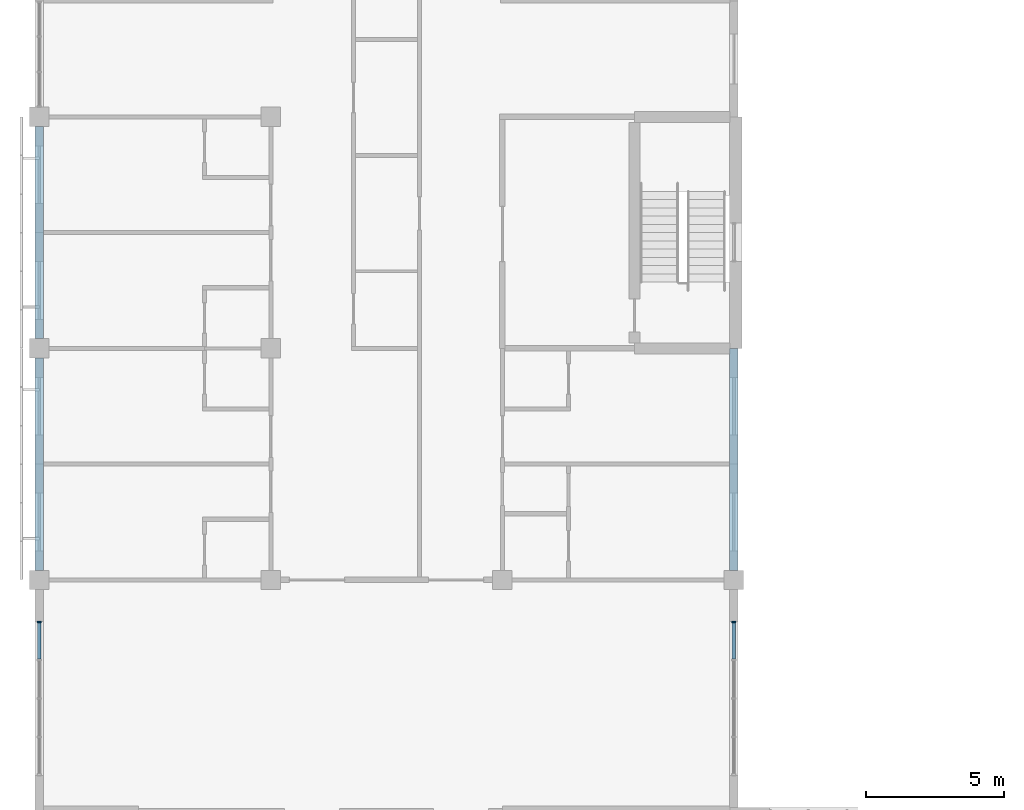
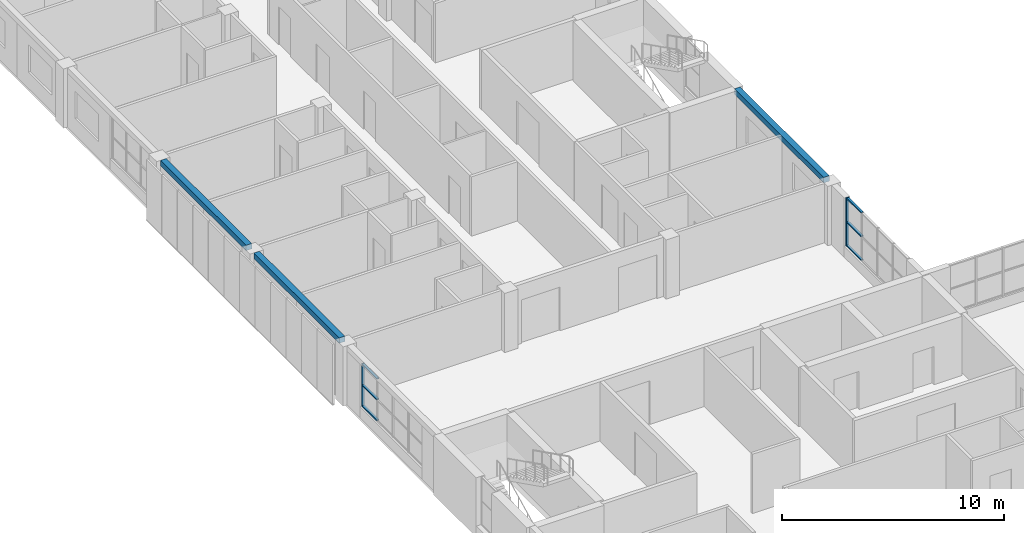
# One storey, part 6 of 46: 8 members, 3 beams, 2 elements without a shape of their own.
"""IFC4 building model written with IfcOpenShell, lengths in metres."""

from ifc_helpers import new_model, si_unit, direction, frame, origin, origin_2d, place, context, subcontext, project, spatial, rectangle, extrude, material, material_profile, profile_set, type_object, element, aggregate, save


model = new_model("IFC4")

# Units and contexts
model_context = context("Model", 3, precision=1e-05, world=origin(), true_north=direction((0.0, 1.0)))
body_context = subcontext(model_context, "Body", "Model", "MODEL_VIEW")
ifc_project = project(units=[si_unit("LENGTHUNIT", "METRE"), si_unit("AREAUNIT", "SQUARE_METRE"), si_unit("VOLUMEUNIT", "CUBIC_METRE"), si_unit("PLANEANGLEUNIT", "RADIAN"), si_unit("MASSUNIT", "GRAM", prefix="KILO")], contexts=[model_context])

# Site, building, storey
site_placement = place(None, origin())
site = spatial("IfcSite", under=ifc_project, at=site_placement, CompositionType="ELEMENT")
building_placement = place(site_placement, origin())
building = spatial("IfcBuilding", under=site, at=building_placement, Name="Yavir Park General Hospital", CompositionType="ELEMENT")
storey_placement = place(building_placement, frame((0.0, 0.0, 18.89990234375)))
storey = spatial("IfcBuildingStorey", under=building, at=storey_placement, Name="L04", CompositionType="ELEMENT", Elevation=18.89990234375)

# Curtain wall, members
ifc_material_1 = material(Name="Aluminium curtain wall frame with insulated glazing", Category="aluminium")
curtain_wall_type_1 = type_object("IfcCurtainWallType", Name="Day room pocket glazing, ward floors, 2360 high, 1400 module", PredefinedType="NOTDEFINED", material=ifc_material_1)
curtain_wall_1_placement = place(storey_placement, origin())
curtain_wall_1 = element("IfcCurtainWall", 1, at=curtain_wall_1_placement, inside=storey, type_object=curtain_wall_type_1, Name="CW6 L04-017", PredefinedType="NOTDEFINED")
ifc_material_2 = material(Name="Aluminium", Category="aluminium")
ifc_material_profile_1 = material_profile(ifc_material_2, rectangle(XDim=0.139892578125, YDim=0.06005859375, at=origin_2d()), Name="AL 60x140")
ifc_profile_set_1 = profile_set([ifc_material_profile_1], Name="Aluminium")
member_type_1 = type_object("IfcMemberType", Name="Day room pocket glazing, ward floors, 2360 high mullion 60 x 140", PredefinedType="MULLION", material=ifc_profile_set_1)
member_1_placement = place(storey_placement, frame((0.0, 32.070068359375, 0.60009765625), z_axis=(0.0, 0.0, 1.0), x_axis=(-1.0, 0.0, 0.0)))
member_1 = element("IfcMember", 2, at=member_1_placement, type_object=member_type_1, Name="CW6 mullion 5", PredefinedType="MULLION", context=body_context, shape_type="SweptSolid", body=[
    extrude(rectangle(XDim=0.139892578125, YDim=0.06005859375, at=origin_2d()), origin(), (0.0, 0.0, 1.0), 2.360107421875),
])
ifc_material_3 = material(Name="Aluminium", Category="aluminium")
ifc_material_profile_2 = material_profile(ifc_material_3, rectangle(XDim=0.1201171875, YDim=0.06005859375, at=origin_2d()), Name="AL 120x60")
ifc_profile_set_2 = profile_set([ifc_material_profile_2], Name="Aluminium")
member_type_2 = type_object("IfcMemberType", Name="Day room pocket glazing, ward floors, 2360 high transom 60 x 120", PredefinedType="MULLION", material=ifc_profile_set_2)
member_2_placement = place(storey_placement, frame((0.0, 30.72998046875, 0.630126953125), z_axis=(0.0, 1.0, 0.0), x_axis=(-1.0, 0.0, 0.0)))
member_2 = element("IfcMember", 3, at=member_2_placement, type_object=member_type_2, Name="CW6 transom 4.1", PredefinedType="MULLION", context=body_context, shape_type="SweptSolid", body=[
    extrude(rectangle(XDim=0.1201171875, YDim=0.06005859375, at=origin_2d()), origin(), (0.0, 0.0, 1.0), 1.31005859375),
])
member_3_placement = place(storey_placement, frame((0.0, 30.72998046875, 1.780029296875), z_axis=(0.0, 1.0, 0.0), x_axis=(-1.0, 0.0, 0.0)))
member_3 = element("IfcMember", 4, at=member_3_placement, type_object=member_type_2, Name="CW6 transom 4.2", PredefinedType="MULLION", context=body_context, shape_type="SweptSolid", body=[
    extrude(rectangle(XDim=0.1201171875, YDim=0.06005859375, at=origin_2d()), origin(), (0.0, 0.0, 1.0), 1.31005859375),
])
member_4_placement = place(storey_placement, frame((0.0, 30.72998046875, 2.93017578125), z_axis=(0.0, 1.0, 0.0), x_axis=(-1.0, 0.0, 0.0)))
member_4 = element("IfcMember", 5, at=member_4_placement, type_object=member_type_2, Name="CW6 transom 4.3", PredefinedType="MULLION", context=body_context, shape_type="SweptSolid", body=[
    extrude(rectangle(XDim=0.1201171875, YDim=0.06005859375, at=origin_2d()), origin(), (0.0, 0.0, 1.0), 1.31005859375),
])
aggregate(curtain_wall_1, [member_1, member_2, member_3, member_4])

ifc_material_4 = material(Name="Aluminium curtain wall frame with insulated glazing", Category="aluminium")
curtain_wall_type_2 = type_object("IfcCurtainWallType", Name="Day room pocket glazing, ward floors, 2660 high, 1400 module", PredefinedType="NOTDEFINED", material=ifc_material_4)
curtain_wall_2_placement = place(storey_placement, origin())
curtain_wall_2 = element("IfcCurtainWall", 6, at=curtain_wall_2_placement, inside=storey, type_object=curtain_wall_type_2, Name="CW62 L04-021", PredefinedType="NOTDEFINED")
ifc_material_5 = material(Name="Aluminium", Category="aluminium")
ifc_material_profile_3 = material_profile(ifc_material_5, rectangle(XDim=0.139892578125, YDim=0.06005859375, at=origin_2d()), Name="AL 60x140")
ifc_profile_set_3 = profile_set([ifc_material_profile_3], Name="Aluminium")
member_type_3 = type_object("IfcMemberType", Name="Day room pocket glazing, ward floors, 2660 high mullion 60 x 140", PredefinedType="MULLION", material=ifc_profile_set_3)
member_5_placement = place(storey_placement, frame((25.199951171875, 32.070068359375, 0.60009765625), z_axis=(0.0, 0.0, 1.0), x_axis=(-1.0, 0.0, 0.0)))
member_5 = element("IfcMember", 7, at=member_5_placement, type_object=member_type_3, Name="CW62 mullion 5", PredefinedType="MULLION", context=body_context, shape_type="SweptSolid", body=[
    extrude(rectangle(XDim=0.139892578125, YDim=0.06005859375, at=origin_2d()), origin(), (0.0, 0.0, 1.0), 2.659912109375),
])
ifc_material_6 = material(Name="Aluminium", Category="aluminium")
ifc_material_profile_4 = material_profile(ifc_material_6, rectangle(XDim=0.1201171875, YDim=0.06005859375, at=origin_2d()), Name="AL 120x60")
ifc_profile_set_4 = profile_set([ifc_material_profile_4], Name="Aluminium")
member_type_4 = type_object("IfcMemberType", Name="Day room pocket glazing, ward floors, 2660 high transom 60 x 120", PredefinedType="MULLION", material=ifc_profile_set_4)
member_6_placement = place(storey_placement, frame((25.199951171875, 30.72998046875, 0.630126953125), z_axis=(0.0, 1.0, 0.0), x_axis=(-1.0, 0.0, 0.0)))
member_6 = element("IfcMember", 8, at=member_6_placement, type_object=member_type_4, Name="CW62 transom 4.1", PredefinedType="MULLION", context=body_context, shape_type="SweptSolid", body=[
    extrude(rectangle(XDim=0.1201171875, YDim=0.06005859375, at=origin_2d()), origin(), (0.0, 0.0, 1.0), 1.31005859375),
])
member_7_placement = place(storey_placement, frame((25.199951171875, 30.72998046875, 1.93017578125), z_axis=(0.0, 1.0, 0.0), x_axis=(-1.0, 0.0, 0.0)))
member_7 = element("IfcMember", 9, at=member_7_placement, type_object=member_type_4, Name="CW62 transom 4.2", PredefinedType="MULLION", context=body_context, shape_type="SweptSolid", body=[
    extrude(rectangle(XDim=0.1201171875, YDim=0.06005859375, at=origin_2d()), origin(), (0.0, 0.0, 1.0), 1.31005859375),
])
member_8_placement = place(storey_placement, frame((25.199951171875, 30.72998046875, 3.22998046875), z_axis=(0.0, 1.0, 0.0), x_axis=(-1.0, 0.0, 0.0)))
member_8 = element("IfcMember", 10, at=member_8_placement, type_object=member_type_4, Name="CW62 transom 4.3", PredefinedType="MULLION", context=body_context, shape_type="SweptSolid", body=[
    extrude(rectangle(XDim=0.1201171875, YDim=0.06005859375, at=origin_2d()), origin(), (0.0, 0.0, 1.0), 1.31005859375),
])
aggregate(curtain_wall_2, [member_5, member_6, member_7, member_8])

# Beams
ifc_material_7 = material(Name="Concrete C35/45", Category="concrete")
ifc_material_profile_5 = material_profile(ifc_material_7, rectangle(XDim=0.300048828125, YDim=0.300048828125, at=origin_2d()), Name="RC300x300")
ifc_profile_set_5 = profile_set([ifc_material_profile_5], Name="Concrete C35/45")
beam_type = type_object("IfcBeamType", Name="RC BEAM 300x300 edge beam", PredefinedType="BEAM", material=ifc_profile_set_5)
for number, where, z_axis, x_axis, name in (
    (11, (0.0, 33.949951171875, 3.110107421875), (0.0, 1.0, 0.0), (-1.0, 0.0, 0.0), "B:EDGE:L04:019"),
    (12, (0.0, 42.35009765625, 3.110107421875), (0.0, 1.0, 0.0), (-1.0, 0.0, 0.0), "B:EDGE:L04:020"),
):
    element("IfcBeam", number, at=place(storey_placement, frame(where, z_axis=z_axis, x_axis=x_axis)), inside=storey, type_object=beam_type, Name=name, PredefinedType="BEAM", context=body_context, shape_type="SweptSolid", body=[
        extrude(rectangle(XDim=0.300048828125, YDim=0.300048828125, at=origin_2d()), origin(), (0.0, 0.0, 1.0), 7.699951171875),
    ])
beam_placement = place(storey_placement, frame((25.199951171875, 33.949951171875, 3.110107421875), z_axis=(0.0, 1.0, 0.0), x_axis=(-1.0, 0.0, 0.0)))
element("IfcBeam", 13, at=beam_placement, inside=storey, type_object=beam_type, Name="B:EDGE:L04:028", PredefinedType="BEAM", context=body_context, shape_type="SweptSolid", body=[
    extrude(rectangle(XDim=0.300048828125, YDim=0.300048828125, at=origin_2d()), origin(), (0.0, 0.0, 1.0), 8.050048828125),
])

save(model, "model.ifc")
